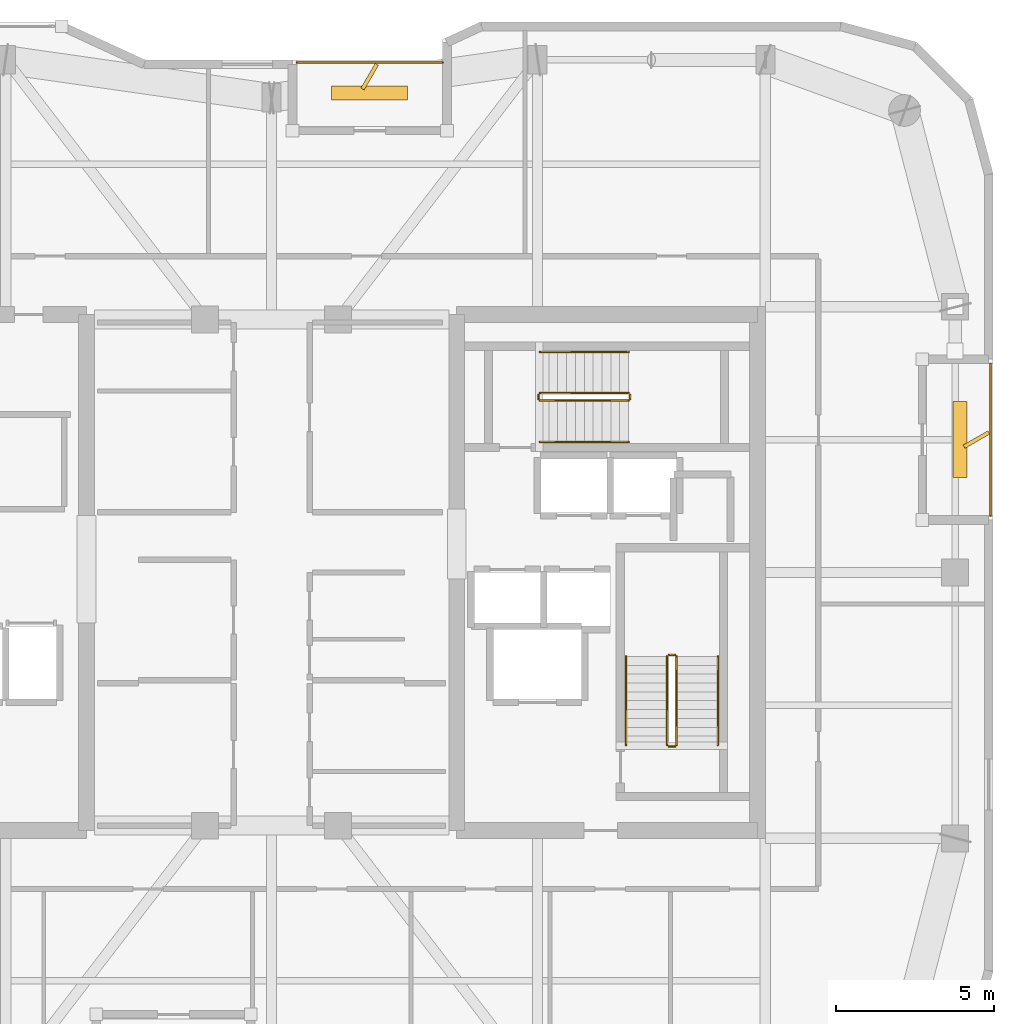
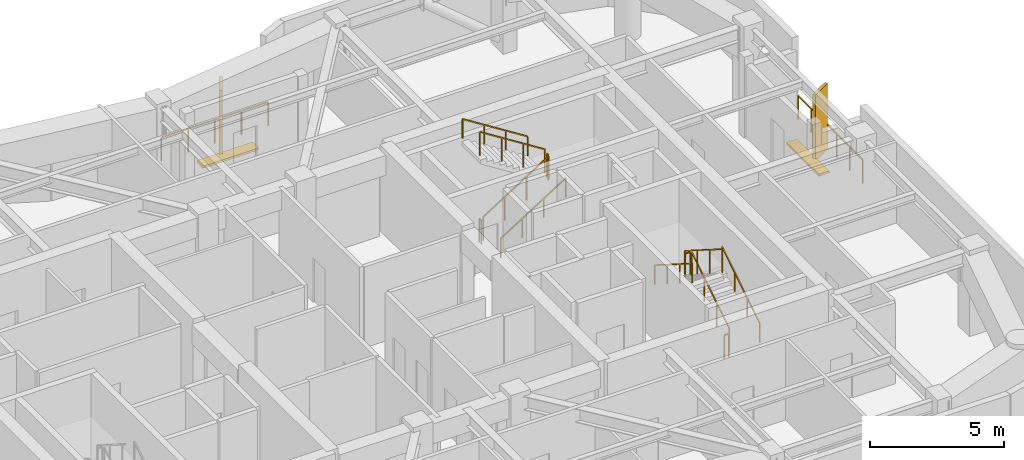
# One storey, part 15 of 15: 14 railings, 4 shading devices.
"""IFC4 building model written with IfcOpenShell, lengths in metres."""

from ifc_helpers import new_model, si_unit, direction, frame, origin, origin_2d, place, context, subcontext, project, spatial, rectangle, extrude, material, type_object, element, save


model = new_model("IFC4")

# Units and contexts
model_context = context("Model", 3, precision=1e-05, world=origin(), true_north=direction((0.0, 1.0)))
body_context = subcontext(model_context, "Body", "Model", "MODEL_VIEW")
ifc_project = project(units=[si_unit("LENGTHUNIT", "METRE"), si_unit("AREAUNIT", "SQUARE_METRE"), si_unit("VOLUMEUNIT", "CUBIC_METRE"), si_unit("PLANEANGLEUNIT", "RADIAN"), si_unit("MASSUNIT", "GRAM", prefix="KILO")], contexts=[model_context])

# Site, building, storey
site_placement = place(None, origin())
site = spatial("IfcSite", under=ifc_project, at=site_placement, CompositionType="ELEMENT")
building_placement = place(site_placement, origin())
building = spatial("IfcBuilding", under=site, at=building_placement, Name="Kiyonajd Concourse Tower", CompositionType="ELEMENT")
storey_placement = place(building_placement, frame((0.0, 0.0, 318.0)))
storey = spatial("IfcBuildingStorey", under=building, at=storey_placement, Name="L80", CompositionType="ELEMENT", Elevation=318.0)

# Railings
ifc_material_1 = material(Name="Thermally Broken Anodised Aluminium", Category="aluminium")
railing_type_1 = type_object("IfcRailingType", Name="RL-GRD-LOG", PredefinedType="GUARDRAIL", material=ifc_material_1)
railing_1_placement = place(storey_placement, frame((53.39990234375, 52.1201171875, 0.0)))
element("IfcRailing", 1, at=railing_1_placement, inside=storey, type_object=railing_type_1, Name="L80 Engawa Loggia Perimeter Guard LOG-N", PredefinedType="GUARDRAIL", context=body_context, shape_type="SweptSolid", body=[
    extrude(rectangle(XDim=0.048095703125, YDim=0.048095703125, at=origin_2d()), frame((0.0, 0.0, 1.076171875), z_axis=(-1.0, 0.0, 0.0), x_axis=(0.0, -1.0, 0.0)), (0.0, 0.0, 1.0), 4.599853515625),
    extrude(rectangle(XDim=0.0419921875, YDim=0.0419921875, at=origin_2d()), origin(), (0.0, 0.0, 1.0), 1.052001953125),
    extrude(rectangle(XDim=0.0419921875, YDim=0.0419921875, at=origin_2d()), frame((-1.14990234375, 0.0, 0.0)), (0.0, 0.0, 1.0), 1.052001953125),
    extrude(rectangle(XDim=0.0419921875, YDim=0.0419921875, at=origin_2d()), frame((-2.2998046875, 0.0, 0.0)), (0.0, 0.0, 1.0), 1.052001953125),
    extrude(rectangle(XDim=0.0419921875, YDim=0.0419921875, at=origin_2d()), frame((-3.449951171875, 0.0, 0.0)), (0.0, 0.0, 1.0), 1.052001953125),
    extrude(rectangle(XDim=0.0419921875, YDim=0.0419921875, at=origin_2d()), frame((-4.599853515625, 0.0, 0.0)), (0.0, 0.0, 1.0), 1.052001953125),
])
railing_2_placement = place(storey_placement, frame((70.719970703125, 37.800048828125, 0.0)))
element("IfcRailing", 2, at=railing_2_placement, inside=storey, type_object=railing_type_1, Name="L80 Engawa Loggia Perimeter Guard LOG-E", PredefinedType="GUARDRAIL", context=body_context, shape_type="SweptSolid", body=[
    extrude(rectangle(XDim=0.048095703125, YDim=0.048095703125, at=origin_2d()), frame((0.0, 0.0, 1.076171875), z_axis=(0.0, 1.0, 0.0), x_axis=(-1.0, 0.0, 0.0)), (0.0, 0.0, 1.0), 4.800048828125),
    extrude(rectangle(XDim=0.0419921875, YDim=0.0419921875, at=origin_2d()), origin(), (0.0, 0.0, 1.0), 1.052001953125),
    extrude(rectangle(XDim=0.0419921875, YDim=0.0419921875, at=origin_2d()), frame((0.0, 0.9599609375, 0.0)), (0.0, 0.0, 1.0), 1.052001953125),
    extrude(rectangle(XDim=0.0419921875, YDim=0.0419921875, at=origin_2d()), frame((0.0, 1.919921875, 0.0)), (0.0, 0.0, 1.0), 1.052001953125),
    extrude(rectangle(XDim=0.0419921875, YDim=0.0419921875, at=origin_2d()), frame((0.0, 2.880126953125, 0.0)), (0.0, 0.0, 1.0), 1.052001953125),
    extrude(rectangle(XDim=0.0419921875, YDim=0.0419921875, at=origin_2d()), frame((0.0, 3.840087890625, 0.0)), (0.0, 0.0, 1.0), 1.052001953125),
    extrude(rectangle(XDim=0.0419921875, YDim=0.0419921875, at=origin_2d()), frame((0.0, 4.800048828125, 0.0)), (0.0, 0.0, 1.0), 1.052001953125),
])
ifc_material_2 = material(Name="Steel ASTM A500 Grade C", Category="steel")
railing_type_2 = type_object("IfcRailingType", Name="RL-GRD-STR", PredefinedType="GUARDRAIL", material=ifc_material_2)
railing_3_placement = place(storey_placement, frame((60.800048828125, 30.550048828125, 0.17724609375)))
element("IfcRailing", 3, at=railing_3_placement, inside=storey, type_object=railing_type_2, Name="L80 ST2 stair guard 1", PredefinedType="GUARDRAIL", context=body_context, shape_type="SweptSolid", body=[
    extrude(rectangle(XDim=0.048095703125, YDim=0.048095703125, at=origin_2d()), frame((0.0, 0.0, 1.076171875), z_axis=(0.0, 0.844908973607, 0.534910110503), x_axis=(-1.0, 0.0, 0.0)), (0.0, 0.0, 1.0), 3.31396484375),
    extrude(rectangle(XDim=0.0419921875, YDim=0.0419921875, at=origin_2d()), origin(), (0.0, 0.0, 1.0), 1.052001953125),
    extrude(rectangle(XDim=0.0419921875, YDim=0.0419921875, at=origin_2d()), frame((0.0, 0.933349609375, 0.5908203125)), (0.0, 0.0, 1.0), 1.052001953125),
    extrude(rectangle(XDim=0.0419921875, YDim=0.0419921875, at=origin_2d()), frame((0.0, 1.86669921875, 1.181884765625)), (0.0, 0.0, 1.0), 1.052001953125),
    extrude(rectangle(XDim=0.0419921875, YDim=0.0419921875, at=origin_2d()), frame((0.0, 2.800048828125, 1.772705078125)), (0.0, 0.0, 1.0), 1.052001953125),
])
railing_4_placement = place(storey_placement, frame((60.75, 33.39990234375, 1.949951171875)))
element("IfcRailing", 4, at=railing_4_placement, inside=storey, type_object=railing_type_2, Name="L80 ST2 stair guard 2", PredefinedType="GUARDRAIL", context=body_context, shape_type="SweptSolid", body=[
    extrude(rectangle(XDim=0.048095703125, YDim=0.048095703125, at=origin_2d()), frame((0.0, 0.0, 1.076171875), z_axis=(-1.0, 0.0, 0.0), x_axis=(0.0, -1.0, 0.0)), (0.0, 0.0, 1.0), 0.199951171875),
    extrude(rectangle(XDim=0.0419921875, YDim=0.0419921875, at=origin_2d()), origin(), (0.0, 0.0, 1.0), 1.052001953125),
    extrude(rectangle(XDim=0.0419921875, YDim=0.0419921875, at=origin_2d()), frame((-0.199951171875, 0.0, 0.0)), (0.0, 0.0, 1.0), 1.052001953125),
])
railing_5_placement = place(storey_placement, frame((60.5, 33.35009765625, 2.127197265625)))
element("IfcRailing", 5, at=railing_5_placement, inside=storey, type_object=railing_type_2, Name="L80 ST2 stair guard 3", PredefinedType="GUARDRAIL", context=body_context, shape_type="SweptSolid", body=[
    extrude(rectangle(XDim=0.048095703125, YDim=0.048095703125, at=origin_2d()), frame((0.0, 0.0, 1.076171875), z_axis=(0.0, -0.844908973607, 0.534910110503), x_axis=(1.0, 0.0, 0.0)), (0.0, 0.0, 1.0), 3.31396484375),
    extrude(rectangle(XDim=0.0419921875, YDim=0.0419921875, at=origin_2d()), origin(), (0.0, 0.0, 1.0), 1.052001953125),
    extrude(rectangle(XDim=0.0419921875, YDim=0.0419921875, at=origin_2d()), frame((0.0, -0.933349609375, 0.5908203125)), (0.0, 0.0, 1.0), 1.052001953125),
    extrude(rectangle(XDim=0.0419921875, YDim=0.0419921875, at=origin_2d()), frame((0.0, -1.86669921875, 1.181884765625)), (0.0, 0.0, 1.0), 1.052001953125),
    extrude(rectangle(XDim=0.0419921875, YDim=0.0419921875, at=origin_2d()), frame((0.0, -2.800048828125, 1.772705078125)), (0.0, 0.0, 1.0), 1.052001953125),
])
railing_6_placement = place(storey_placement, frame((60.75, 30.5, 0.0)))
element("IfcRailing", 6, at=railing_6_placement, inside=storey, type_object=railing_type_2, Name="L80 ST2 stair guard 4", PredefinedType="GUARDRAIL", context=body_context, shape_type="SweptSolid", body=[
    extrude(rectangle(XDim=0.048095703125, YDim=0.048095703125, at=origin_2d()), frame((0.0, 0.0, 1.076171875), z_axis=(-1.0, 0.0, 0.0), x_axis=(0.0, -1.0, 0.0)), (0.0, 0.0, 1.0), 0.199951171875),
    extrude(rectangle(XDim=0.0419921875, YDim=0.0419921875, at=origin_2d()), origin(), (0.0, 0.0, 1.0), 1.052001953125),
    extrude(rectangle(XDim=0.0419921875, YDim=0.0419921875, at=origin_2d()), frame((-0.199951171875, 0.0, 0.0)), (0.0, 0.0, 1.0), 1.052001953125),
])
railing_7_placement = place(storey_placement, frame((56.47998046875, 41.429931640625, 0.17724609375)))
element("IfcRailing", 7, at=railing_7_placement, inside=storey, type_object=railing_type_2, Name="L80 ST3 stair guard 1", PredefinedType="GUARDRAIL", context=body_context, shape_type="SweptSolid", body=[
    extrude(rectangle(XDim=0.048095703125, YDim=0.048095703125, at=origin_2d()), frame((0.0, 0.0, 1.076171875), z_axis=(0.844908973607, 0.0, 0.534910110503), x_axis=(0.0, 1.0, 0.0)), (0.0, 0.0, 1.0), 3.31396484375),
    extrude(rectangle(XDim=0.0419921875, YDim=0.0419921875, at=origin_2d()), origin(), (0.0, 0.0, 1.0), 1.052001953125),
    extrude(rectangle(XDim=0.0419921875, YDim=0.0419921875, at=origin_2d()), frame((0.933349609375, 0.0, 0.5908203125)), (0.0, 0.0, 1.0), 1.052001953125),
    extrude(rectangle(XDim=0.0419921875, YDim=0.0419921875, at=origin_2d()), frame((1.86669921875, 0.0, 1.181884765625)), (0.0, 0.0, 1.0), 1.052001953125),
    extrude(rectangle(XDim=0.0419921875, YDim=0.0419921875, at=origin_2d()), frame((2.800048828125, 0.0, 1.772705078125)), (0.0, 0.0, 1.0), 1.052001953125),
])
railing_8_placement = place(storey_placement, frame((59.330078125, 41.47998046875, 1.949951171875)))
element("IfcRailing", 8, at=railing_8_placement, inside=storey, type_object=railing_type_2, Name="L80 ST3 stair guard 2", PredefinedType="GUARDRAIL", context=body_context, shape_type="SweptSolid", body=[
    extrude(rectangle(XDim=0.048095703125, YDim=0.048095703125, at=origin_2d()), frame((0.0, 0.0, 1.076171875), z_axis=(0.0, 1.0, 0.0), x_axis=(-1.0, 0.0, 0.0)), (0.0, 0.0, 1.0), 0.14013671875),
    extrude(rectangle(XDim=0.0419921875, YDim=0.0419921875, at=origin_2d()), origin(), (0.0, 0.0, 1.0), 1.052001953125),
    extrude(rectangle(XDim=0.0419921875, YDim=0.0419921875, at=origin_2d()), frame((0.0, 0.14013671875, 0.0)), (0.0, 0.0, 1.0), 1.052001953125),
])
railing_9_placement = place(storey_placement, frame((59.280029296875, 41.669921875, 2.127197265625)))
element("IfcRailing", 9, at=railing_9_placement, inside=storey, type_object=railing_type_2, Name="L80 ST3 stair guard 3", PredefinedType="GUARDRAIL", context=body_context, shape_type="SweptSolid", body=[
    extrude(rectangle(XDim=0.048095703125, YDim=0.048095703125, at=origin_2d()), frame((0.0, 0.0, 1.076171875), z_axis=(-0.844908973607, 0.0, 0.534910110503), x_axis=(0.0, -1.0, 0.0)), (0.0, 0.0, 1.0), 3.31396484375),
    extrude(rectangle(XDim=0.0419921875, YDim=0.0419921875, at=origin_2d()), origin(), (0.0, 0.0, 1.0), 1.052001953125),
    extrude(rectangle(XDim=0.0419921875, YDim=0.0419921875, at=origin_2d()), frame((-0.933349609375, 0.0, 0.5908203125)), (0.0, 0.0, 1.0), 1.052001953125),
    extrude(rectangle(XDim=0.0419921875, YDim=0.0419921875, at=origin_2d()), frame((-1.86669921875, 0.0, 1.181884765625)), (0.0, 0.0, 1.0), 1.052001953125),
    extrude(rectangle(XDim=0.0419921875, YDim=0.0419921875, at=origin_2d()), frame((-2.800048828125, 0.0, 1.772705078125)), (0.0, 0.0, 1.0), 1.052001953125),
])
railing_10_placement = place(storey_placement, frame((56.429931640625, 41.47998046875, 0.0)))
element("IfcRailing", 10, at=railing_10_placement, inside=storey, type_object=railing_type_2, Name="L80 ST3 stair guard 4", PredefinedType="GUARDRAIL", context=body_context, shape_type="SweptSolid", body=[
    extrude(rectangle(XDim=0.048095703125, YDim=0.048095703125, at=origin_2d()), frame((0.0, 0.0, 1.076171875), z_axis=(0.0, 1.0, 0.0), x_axis=(-1.0, 0.0, 0.0)), (0.0, 0.0, 1.0), 0.14013671875),
    extrude(rectangle(XDim=0.0419921875, YDim=0.0419921875, at=origin_2d()), origin(), (0.0, 0.0, 1.0), 1.052001953125),
    extrude(rectangle(XDim=0.0419921875, YDim=0.0419921875, at=origin_2d()), frame((0.0, 0.14013671875, 0.0)), (0.0, 0.0, 1.0), 1.052001953125),
])
ifc_material_3 = material(Name="Brushed Stainless Steel Cab Assembly", Category="steel")
railing_type_3 = type_object("IfcRailingType", Name="RL-HND-900", PredefinedType="HANDRAIL", material=ifc_material_3)
railing_11_placement = place(storey_placement, frame((62.10009765625, 30.550048828125, 0.17724609375)))
element("IfcRailing", 11, at=railing_11_placement, inside=storey, type_object=railing_type_3, Name="L80 ST2 stair handrail 1", PredefinedType="HANDRAIL", context=body_context, shape_type="SweptSolid", body=[
    extrude(rectangle(XDim=0.048095703125, YDim=0.048095703125, at=origin_2d()), frame((0.0, 0.0, 0.8759765625), z_axis=(0.0, 0.844908973607, 0.534910110503), x_axis=(-1.0, 0.0, 0.0)), (0.0, 0.0, 1.0), 3.31396484375),
    extrude(rectangle(XDim=0.0419921875, YDim=0.0419921875, at=origin_2d()), origin(), (0.0, 0.0, 1.0), 0.851806640625),
    extrude(rectangle(XDim=0.0419921875, YDim=0.0419921875, at=origin_2d()), frame((0.0, 0.933349609375, 0.5908203125)), (0.0, 0.0, 1.0), 0.851806640625),
    extrude(rectangle(XDim=0.0419921875, YDim=0.0419921875, at=origin_2d()), frame((0.0, 1.86669921875, 1.181884765625)), (0.0, 0.0, 1.0), 0.851806640625),
    extrude(rectangle(XDim=0.0419921875, YDim=0.0419921875, at=origin_2d()), frame((0.0, 2.800048828125, 1.772705078125)), (0.0, 0.0, 1.0), 0.851806640625),
])
railing_12_placement = place(storey_placement, frame((59.199951171875, 33.35009765625, 2.127197265625)))
element("IfcRailing", 12, at=railing_12_placement, inside=storey, type_object=railing_type_3, Name="L80 ST2 stair handrail 2", PredefinedType="HANDRAIL", context=body_context, shape_type="SweptSolid", body=[
    extrude(rectangle(XDim=0.048095703125, YDim=0.048095703125, at=origin_2d()), frame((0.0, 0.0, 0.8759765625), z_axis=(0.0, -0.844908973607, 0.534910110503), x_axis=(1.0, 0.0, 0.0)), (0.0, 0.0, 1.0), 3.31396484375),
    extrude(rectangle(XDim=0.0419921875, YDim=0.0419921875, at=origin_2d()), origin(), (0.0, 0.0, 1.0), 0.851806640625),
    extrude(rectangle(XDim=0.0419921875, YDim=0.0419921875, at=origin_2d()), frame((0.0, -0.933349609375, 0.5908203125)), (0.0, 0.0, 1.0), 0.851806640625),
    extrude(rectangle(XDim=0.0419921875, YDim=0.0419921875, at=origin_2d()), frame((0.0, -1.86669921875, 1.181884765625)), (0.0, 0.0, 1.0), 0.851806640625),
    extrude(rectangle(XDim=0.0419921875, YDim=0.0419921875, at=origin_2d()), frame((0.0, -2.800048828125, 1.772705078125)), (0.0, 0.0, 1.0), 0.851806640625),
])
railing_13_placement = place(storey_placement, frame((56.47998046875, 40.1298828125, 0.17724609375)))
element("IfcRailing", 13, at=railing_13_placement, inside=storey, type_object=railing_type_3, Name="L80 ST3 stair handrail 1", PredefinedType="HANDRAIL", context=body_context, shape_type="SweptSolid", body=[
    extrude(rectangle(XDim=0.048095703125, YDim=0.048095703125, at=origin_2d()), frame((0.0, 0.0, 0.8759765625), z_axis=(0.844908973607, 0.0, 0.534910110503), x_axis=(0.0, 1.0, 0.0)), (0.0, 0.0, 1.0), 3.31396484375),
    extrude(rectangle(XDim=0.0419921875, YDim=0.0419921875, at=origin_2d()), origin(), (0.0, 0.0, 1.0), 0.851806640625),
    extrude(rectangle(XDim=0.0419921875, YDim=0.0419921875, at=origin_2d()), frame((0.933349609375, 0.0, 0.5908203125)), (0.0, 0.0, 1.0), 0.851806640625),
    extrude(rectangle(XDim=0.0419921875, YDim=0.0419921875, at=origin_2d()), frame((1.86669921875, 0.0, 1.181884765625)), (0.0, 0.0, 1.0), 0.851806640625),
    extrude(rectangle(XDim=0.0419921875, YDim=0.0419921875, at=origin_2d()), frame((2.800048828125, 0.0, 1.772705078125)), (0.0, 0.0, 1.0), 0.851806640625),
])
railing_14_placement = place(storey_placement, frame((59.280029296875, 42.969970703125, 2.127197265625)))
element("IfcRailing", 14, at=railing_14_placement, inside=storey, type_object=railing_type_3, Name="L80 ST3 stair handrail 2", PredefinedType="HANDRAIL", context=body_context, shape_type="SweptSolid", body=[
    extrude(rectangle(XDim=0.048095703125, YDim=0.048095703125, at=origin_2d()), frame((0.0, 0.0, 0.8759765625), z_axis=(-0.844908973607, 0.0, 0.534910110503), x_axis=(0.0, -1.0, 0.0)), (0.0, 0.0, 1.0), 3.31396484375),
    extrude(rectangle(XDim=0.0419921875, YDim=0.0419921875, at=origin_2d()), origin(), (0.0, 0.0, 1.0), 0.851806640625),
    extrude(rectangle(XDim=0.0419921875, YDim=0.0419921875, at=origin_2d()), frame((-0.933349609375, 0.0, 0.5908203125)), (0.0, 0.0, 1.0), 0.851806640625),
    extrude(rectangle(XDim=0.0419921875, YDim=0.0419921875, at=origin_2d()), frame((-1.86669921875, 0.0, 1.181884765625)), (0.0, 0.0, 1.0), 0.851806640625),
    extrude(rectangle(XDim=0.0419921875, YDim=0.0419921875, at=origin_2d()), frame((-2.800048828125, 0.0, 1.772705078125)), (0.0, 0.0, 1.0), 0.851806640625),
])

# Shading devices
ifc_material_4 = material(Name="Precast concrete C50/60", Category="concrete")
shading_device_type_1 = type_object("IfcShadingDeviceType", Name="SH-FIN-900", PredefinedType="USERDEFINED", material=ifc_material_4)
for number, where, z_axis, x_axis, name in (
    (15, (51.10009765625, 51.669921875, 0.0), (0.0, 0.0, 1.0), (0.5, 0.866025403784, 0.0), "L80 Angled Koshi Solar Fin LOG-N"),
    (16, (70.27001953125, 40.199951171875, 0.0), (0.0, 0.0, 1.0), (0.866025403784, 0.5, 0.0), "L80 Angled Koshi Solar Fin LOG-E"),
):
    element("IfcShadingDevice", number, at=place(storey_placement, frame(where, z_axis=z_axis, x_axis=x_axis)), inside=storey, type_object=shading_device_type_1, Name=name, ObjectType="FIN", PredefinedType="USERDEFINED", context=body_context, shape_type="SweptSolid", body=[
        extrude(rectangle(XDim=0.89990234375, YDim=0.1201171875, at=origin_2d()), origin(), (0.0, 0.0, 1.0), 3.0),
    ])
shading_device_type_2 = type_object("IfcShadingDeviceType", Name="SH-LVR-600", PredefinedType="JALOUSIE", material=ifc_material_1)
for number, where, z_axis, x_axis, name in (
    (17, (51.10009765625, 51.14990234375, 0.0), (0.0, 0.0, 1.0), (1.0, 0.0, 0.0), "L80 Loggia Threshold Louver LOG-N"),
    (18, (69.75, 40.199951171875, 0.0), (0.0, 0.0, 1.0), (0.0, 1.0, 0.0), "L80 Loggia Threshold Louver LOG-E"),
):
    element("IfcShadingDevice", number, at=place(storey_placement, frame(where, z_axis=z_axis, x_axis=x_axis)), inside=storey, type_object=shading_device_type_2, Name=name, PredefinedType="JALOUSIE", context=body_context, shape_type="SweptSolid", body=[
        extrude(rectangle(XDim=2.39990234375, YDim=0.449951171875, at=origin_2d()), origin(), (0.0, 0.0, 1.0), 0.10009765625),
    ])

save(model, "model.ifc")
